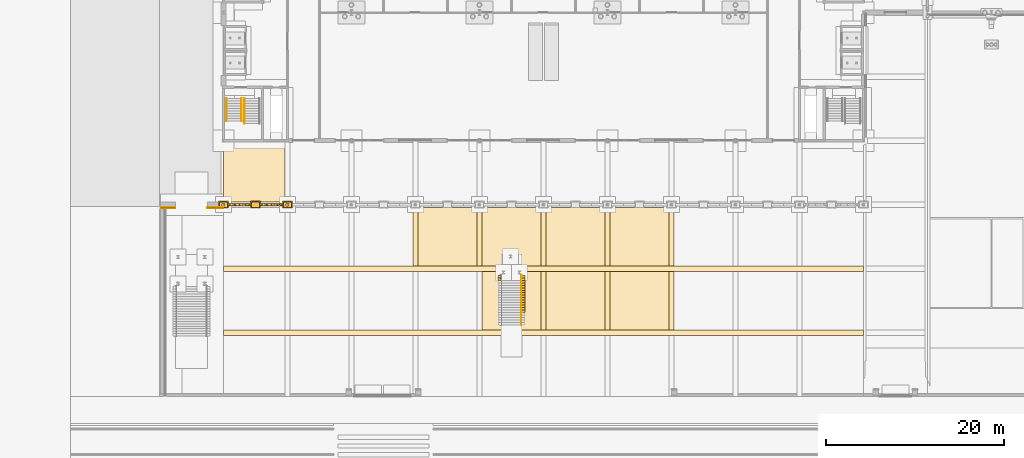
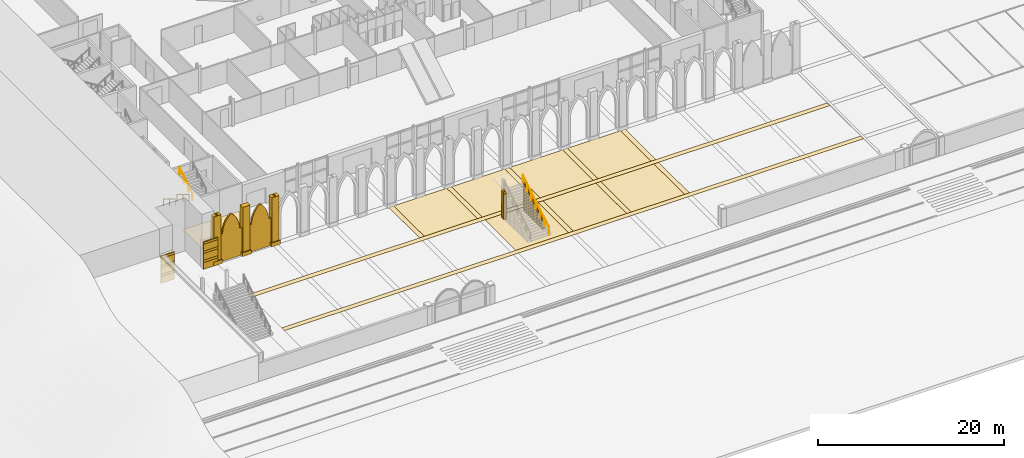
# One storey, part 117 of 148: 55 coverings, 4 railings.
"""IFC4 building model written with IfcOpenShell, lengths in metres."""

from ifc_helpers import new_model, si_unit, direction, frame, origin, origin_2d, place, context, subcontext, project, spatial, polyline, circle, outline, extrude, material, layer, layer_set, type_object, element, save


model = new_model("IFC4")

# Units and contexts
model_context = context("Model", 3, precision=1e-05, world=origin(), true_north=direction((0.0, 1.0)))
body_context = subcontext(model_context, "Body", "Model", "MODEL_VIEW")
ifc_project = project(units=[si_unit("LENGTHUNIT", "METRE"), si_unit("AREAUNIT", "SQUARE_METRE"), si_unit("VOLUMEUNIT", "CUBIC_METRE"), si_unit("PLANEANGLEUNIT", "RADIAN"), si_unit("MASSUNIT", "GRAM", prefix="KILO")], contexts=[model_context])

# Site, building, storey
site_placement = place(None, origin())
site = spatial("IfcSite", under=ifc_project, at=site_placement, CompositionType="ELEMENT")
building_placement = place(site_placement, origin())
building = spatial("IfcBuilding", under=site, at=building_placement, Name="Kupolbacken Congress Centre", CompositionType="ELEMENT")
storey_placement = place(building_placement, origin())
storey = spatial("IfcBuildingStorey", under=building, at=storey_placement, Name="L00", CompositionType="ELEMENT", Elevation=0.0)

# Coverings
ifc_material_1 = material(Name="Limestone cladding", Category="masonry")
ifc_layer_1 = layer(ifc_material_1, 0.1201171875)
ifc_layer_set_1 = layer_set([ifc_layer_1], Name="Limestone cladding")
covering_type_1 = type_object("IfcCoveringType", Name="CV1 limestone cladding band 120", PredefinedType="CLADDING", material=ifc_layer_set_1)
covering_1_placement = place(storey_placement, frame((0.0, 0.0, 0.89990234375)))
element("IfcCovering", 1, at=covering_1_placement, inside=storey, type_object=covering_type_1, Name="Retaining wall facing, limestone course", PredefinedType="CLADDING", context=body_context, shape_type="SweptSolid", body=[
    extrude(outline(polyline([(0.1298828125, 21.205078125), (0.1298828125, 21.324951171875), (1.800048828125, 21.324951171875), (1.800048828125, 21.205078125), (0.1298828125, 21.205078125)])), origin(), (0.0, 0.0, 1.0), 0.300048828125),
])
covering_2_placement = place(storey_placement, frame((0.0, 0.0, 2.10009765625)))
element("IfcCovering", 2, at=covering_2_placement, inside=storey, type_object=covering_type_1, Name="Retaining wall facing, limestone course", PredefinedType="CLADDING", context=body_context, shape_type="SweptSolid", body=[
    extrude(outline(polyline([(0.1298828125, 21.205078125), (0.1298828125, 21.324951171875), (1.800048828125, 21.324951171875), (1.800048828125, 21.205078125), (0.1298828125, 21.205078125)])), origin(), (0.0, 0.0, 1.0), 0.2998046875),
])
covering_3_placement = place(storey_placement, frame((0.0, 0.0, 3.300048828125)))
element("IfcCovering", 3, at=covering_3_placement, inside=storey, type_object=covering_type_1, Name="Retaining wall facing, limestone course", PredefinedType="CLADDING", context=body_context, shape_type="SweptSolid", body=[
    extrude(outline(polyline([(0.1298828125, 21.205078125), (0.1298828125, 21.324951171875), (1.800048828125, 21.324951171875), (1.800048828125, 21.205078125), (0.1298828125, 21.205078125)])), origin(), (0.0, 0.0, 1.0), 0.300048828125),
])
covering_4_placement = place(storey_placement, frame((0.0, 0.0, 0.89990234375)))
element("IfcCovering", 4, at=covering_4_placement, inside=storey, type_object=covering_type_1, Name="Retaining wall facing, limestone course", PredefinedType="CLADDING", context=body_context, shape_type="SweptSolid", body=[
    extrude(outline(polyline([(5.39990234375, 21.205078125), (5.39990234375, 21.324951171875), (7.199951171875, 21.324951171875), (7.199951171875, 21.205078125), (5.39990234375, 21.205078125)])), origin(), (0.0, 0.0, 1.0), 0.300048828125),
])
covering_5_placement = place(storey_placement, frame((0.0, 0.0, 2.10009765625)))
element("IfcCovering", 5, at=covering_5_placement, inside=storey, type_object=covering_type_1, Name="Retaining wall facing, limestone course", PredefinedType="CLADDING", context=body_context, shape_type="SweptSolid", body=[
    extrude(outline(polyline([(5.39990234375, 21.205078125), (5.39990234375, 21.324951171875), (7.199951171875, 21.324951171875), (7.199951171875, 21.205078125), (5.39990234375, 21.205078125)])), origin(), (0.0, 0.0, 1.0), 0.2998046875),
])
covering_6_placement = place(storey_placement, frame((0.0, 0.0, 3.300048828125)))
element("IfcCovering", 6, at=covering_6_placement, inside=storey, type_object=covering_type_1, Name="Retaining wall facing, limestone course", PredefinedType="CLADDING", context=body_context, shape_type="SweptSolid", body=[
    extrude(outline(polyline([(5.39990234375, 21.205078125), (5.39990234375, 21.324951171875), (7.199951171875, 21.324951171875), (7.199951171875, 21.205078125), (5.39990234375, 21.205078125)])), origin(), (0.0, 0.0, 1.0), 0.300048828125),
])
covering_7_placement = place(storey_placement, frame((0.0, 0.0, 0.02001953125)))
element("IfcCovering", 7, at=covering_7_placement, inside=storey, type_object=covering_type_1, Name="Stair cheek wall", PredefinedType="CLADDING", context=body_context, shape_type="SweptSolid", body=[
    extrude(outline(polyline([(40.800048828125, 9.449951171875), (40.800048828125, 9.72998046875), (41.10009765625, 9.72998046875), (41.10009765625, 9.449951171875), (40.800048828125, 9.449951171875)])), origin(), (0.0, 0.0, 1.0), 1.158447265625),
])
covering_8_placement = place(storey_placement, frame((0.0, 0.0, 0.02001953125)))
element("IfcCovering", 8, at=covering_8_placement, inside=storey, type_object=covering_type_1, Name="Stair cheek wall", PredefinedType="CLADDING", context=body_context, shape_type="SweptSolid", body=[
    extrude(outline(polyline([(40.800048828125, 9.72998046875), (40.800048828125, 10.010009765625), (41.10009765625, 10.010009765625), (41.10009765625, 9.72998046875), (40.800048828125, 9.72998046875)])), origin(), (0.0, 0.0, 1.0), 1.329833984375),
])
covering_9_placement = place(storey_placement, frame((0.0, 0.0, 0.02001953125)))
element("IfcCovering", 9, at=covering_9_placement, inside=storey, type_object=covering_type_1, Name="Stair cheek wall", PredefinedType="CLADDING", context=body_context, shape_type="SweptSolid", body=[
    extrude(outline(polyline([(40.800048828125, 10.010009765625), (40.800048828125, 10.2900390625), (41.10009765625, 10.2900390625), (41.10009765625, 10.010009765625), (40.800048828125, 10.010009765625)])), origin(), (0.0, 0.0, 1.0), 1.501220703125),
])
covering_10_placement = place(storey_placement, frame((0.0, 0.0, 0.02001953125)))
element("IfcCovering", 10, at=covering_10_placement, inside=storey, type_object=covering_type_1, Name="Stair cheek wall", PredefinedType="CLADDING", context=body_context, shape_type="SweptSolid", body=[
    extrude(outline(polyline([(40.800048828125, 10.2900390625), (40.800048828125, 10.570068359375), (41.10009765625, 10.570068359375), (41.10009765625, 10.2900390625), (40.800048828125, 10.2900390625)])), origin(), (0.0, 0.0, 1.0), 1.672607421875),
])
covering_11_placement = place(storey_placement, frame((0.0, 0.0, 0.02001953125)))
element("IfcCovering", 11, at=covering_11_placement, inside=storey, type_object=covering_type_1, Name="Stair cheek wall", PredefinedType="CLADDING", context=body_context, shape_type="SweptSolid", body=[
    extrude(outline(polyline([(40.800048828125, 10.570068359375), (40.800048828125, 10.85009765625), (41.10009765625, 10.85009765625), (41.10009765625, 10.570068359375), (40.800048828125, 10.570068359375)])), origin(), (0.0, 0.0, 1.0), 1.843994140625),
])
covering_12_placement = place(storey_placement, frame((0.0, 0.0, 0.02001953125)))
element("IfcCovering", 12, at=covering_12_placement, inside=storey, type_object=covering_type_1, Name="Stair cheek wall", PredefinedType="CLADDING", context=body_context, shape_type="SweptSolid", body=[
    extrude(outline(polyline([(40.800048828125, 10.85009765625), (40.800048828125, 11.1298828125), (41.10009765625, 11.1298828125), (41.10009765625, 10.85009765625), (40.800048828125, 10.85009765625)])), origin(), (0.0, 0.0, 1.0), 2.015380859375),
])
covering_13_placement = place(storey_placement, frame((0.0, 0.0, 0.02001953125)))
element("IfcCovering", 13, at=covering_13_placement, inside=storey, type_object=covering_type_1, Name="Stair cheek wall", PredefinedType="CLADDING", context=body_context, shape_type="SweptSolid", body=[
    extrude(outline(polyline([(40.800048828125, 11.1298828125), (40.800048828125, 11.409912109375), (41.10009765625, 11.409912109375), (41.10009765625, 11.1298828125), (40.800048828125, 11.1298828125)])), origin(), (0.0, 0.0, 1.0), 2.186767578125),
])
covering_14_placement = place(storey_placement, frame((0.0, 0.0, 0.02001953125)))
element("IfcCovering", 14, at=covering_14_placement, inside=storey, type_object=covering_type_1, Name="Stair cheek wall", PredefinedType="CLADDING", context=body_context, shape_type="SweptSolid", body=[
    extrude(outline(polyline([(40.800048828125, 11.409912109375), (40.800048828125, 11.68994140625), (41.10009765625, 11.68994140625), (41.10009765625, 11.409912109375), (40.800048828125, 11.409912109375)])), origin(), (0.0, 0.0, 1.0), 2.358154296875),
])
covering_15_placement = place(storey_placement, frame((0.0, 0.0, 0.02001953125)))
element("IfcCovering", 15, at=covering_15_placement, inside=storey, type_object=covering_type_1, Name="Stair cheek wall", PredefinedType="CLADDING", context=body_context, shape_type="SweptSolid", body=[
    extrude(outline(polyline([(40.800048828125, 11.68994140625), (40.800048828125, 11.969970703125), (41.10009765625, 11.969970703125), (41.10009765625, 11.68994140625), (40.800048828125, 11.68994140625)])), origin(), (0.0, 0.0, 1.0), 2.529541015625),
])
covering_16_placement = place(storey_placement, frame((0.0, 0.0, 0.02001953125)))
element("IfcCovering", 16, at=covering_16_placement, inside=storey, type_object=covering_type_1, Name="Stair cheek wall", PredefinedType="CLADDING", context=body_context, shape_type="SweptSolid", body=[
    extrude(outline(polyline([(40.800048828125, 11.969970703125), (40.800048828125, 12.25), (41.10009765625, 12.25), (41.10009765625, 11.969970703125), (40.800048828125, 11.969970703125)])), origin(), (0.0, 0.0, 1.0), 2.700927734375),
])
covering_17_placement = place(storey_placement, frame((0.0, 0.0, 0.02001953125)))
element("IfcCovering", 17, at=covering_17_placement, inside=storey, type_object=covering_type_1, Name="Stair cheek wall", PredefinedType="CLADDING", context=body_context, shape_type="SweptSolid", body=[
    extrude(outline(polyline([(40.800048828125, 12.25), (40.800048828125, 12.530029296875), (41.10009765625, 12.530029296875), (41.10009765625, 12.25), (40.800048828125, 12.25)])), origin(), (0.0, 0.0, 1.0), 2.872314453125),
])
covering_18_placement = place(storey_placement, frame((0.0, 0.0, 0.02001953125)))
element("IfcCovering", 18, at=covering_18_placement, inside=storey, type_object=covering_type_1, Name="Stair cheek wall", PredefinedType="CLADDING", context=body_context, shape_type="SweptSolid", body=[
    extrude(outline(polyline([(40.800048828125, 12.530029296875), (40.800048828125, 12.81005859375), (41.10009765625, 12.81005859375), (41.10009765625, 12.530029296875), (40.800048828125, 12.530029296875)])), origin(), (0.0, 0.0, 1.0), 3.043701171875),
])
covering_19_placement = place(storey_placement, frame((0.0, 0.0, 0.02001953125)))
element("IfcCovering", 19, at=covering_19_placement, inside=storey, type_object=covering_type_1, Name="Stair cheek wall", PredefinedType="CLADDING", context=body_context, shape_type="SweptSolid", body=[
    extrude(outline(polyline([(40.800048828125, 12.81005859375), (40.800048828125, 13.090087890625), (41.10009765625, 13.090087890625), (41.10009765625, 12.81005859375), (40.800048828125, 12.81005859375)])), origin(), (0.0, 0.0, 1.0), 3.215087890625),
])
covering_20_placement = place(storey_placement, frame((0.0, 0.0, 0.02001953125)))
element("IfcCovering", 20, at=covering_20_placement, inside=storey, type_object=covering_type_1, Name="Stair cheek wall", PredefinedType="CLADDING", context=body_context, shape_type="SweptSolid", body=[
    extrude(outline(polyline([(40.800048828125, 13.090087890625), (40.800048828125, 13.3701171875), (41.10009765625, 13.3701171875), (41.10009765625, 13.090087890625), (40.800048828125, 13.090087890625)])), origin(), (0.0, 0.0, 1.0), 3.386474609375),
])
covering_21_placement = place(storey_placement, frame((0.0, 0.0, 0.02001953125)))
element("IfcCovering", 21, at=covering_21_placement, inside=storey, type_object=covering_type_1, Name="Stair cheek wall", PredefinedType="CLADDING", context=body_context, shape_type="SweptSolid", body=[
    extrude(outline(polyline([(40.800048828125, 13.3701171875), (40.800048828125, 13.64990234375), (41.10009765625, 13.64990234375), (41.10009765625, 13.3701171875), (40.800048828125, 13.3701171875)])), origin(), (0.0, 0.0, 1.0), 3.557861328125),
])
covering_22_placement = place(storey_placement, frame((0.0, 0.0, 0.02001953125)))
element("IfcCovering", 22, at=covering_22_placement, inside=storey, type_object=covering_type_1, Name="Stair cheek wall", PredefinedType="CLADDING", context=body_context, shape_type="SweptSolid", body=[
    extrude(outline(polyline([(38.39990234375, 13.090087890625), (38.39990234375, 13.3701171875), (38.10009765625, 13.3701171875), (38.10009765625, 13.090087890625), (38.39990234375, 13.090087890625)])), origin(), (0.0, 0.0, 1.0), 3.386474609375),
])
covering_23_placement = place(storey_placement, frame((0.0, 0.0, 0.02001953125)))
element("IfcCovering", 23, at=covering_23_placement, inside=storey, type_object=covering_type_1, Name="Stair cheek wall", PredefinedType="CLADDING", context=body_context, shape_type="SweptSolid", body=[
    extrude(outline(polyline([(38.39990234375, 13.3701171875), (38.39990234375, 13.64990234375), (38.10009765625, 13.64990234375), (38.10009765625, 13.3701171875), (38.39990234375, 13.3701171875)])), origin(), (0.0, 0.0, 1.0), 3.557861328125),
])
ifc_material_2 = material(Name="Brick cladding", Category="masonry")
ifc_layer_2 = layer(ifc_material_2, 0.10791015625)
ifc_layer_set_2 = layer_set([ifc_layer_2], Name="Brick cladding")
covering_type_2 = type_object("IfcCoveringType", Name="CV2 brick cladding band 108", PredefinedType="CLADDING", material=ifc_layer_set_2)
covering_24_placement = place(storey_placement, origin())
element("IfcCovering", 24, at=covering_24_placement, inside=storey, type_object=covering_type_2, Name="Retaining wall facing, brick course", PredefinedType="CLADDING", context=body_context, shape_type="SweptSolid", body=[
    extrude(outline(polyline([(0.1298828125, 21.217041015625), (0.1298828125, 21.324951171875), (1.800048828125, 21.324951171875), (1.800048828125, 21.217041015625), (0.1298828125, 21.217041015625)])), origin(), (0.0, 0.0, 1.0), 0.89990234375),
])
for number, where, name in (
    (25, (0.0, 0.0, 1.199951171875), "Retaining wall facing, brick course"),
    (26, (0.0, 0.0, 2.39990234375), "Retaining wall facing, brick course"),
):
    element("IfcCovering", number, at=place(storey_placement, frame(where)), inside=storey, type_object=covering_type_2, Name=name, PredefinedType="CLADDING", context=body_context, shape_type="SweptSolid", body=[
        extrude(outline(polyline([(0.1298828125, 21.217041015625), (0.1298828125, 21.324951171875), (1.800048828125, 21.324951171875), (1.800048828125, 21.217041015625), (0.1298828125, 21.217041015625)])), origin(), (0.0, 0.0, 1.0), 0.900146484375),
    ])
covering_25_placement = place(storey_placement, origin())
element("IfcCovering", 27, at=covering_25_placement, inside=storey, type_object=covering_type_2, Name="Retaining wall facing, brick course", PredefinedType="CLADDING", context=body_context, shape_type="SweptSolid", body=[
    extrude(outline(polyline([(5.39990234375, 21.217041015625), (5.39990234375, 21.324951171875), (7.199951171875, 21.324951171875), (7.199951171875, 21.217041015625), (5.39990234375, 21.217041015625)])), origin(), (0.0, 0.0, 1.0), 0.89990234375),
])
for number, where, name in (
    (28, (0.0, 0.0, 1.199951171875), "Retaining wall facing, brick course"),
    (29, (0.0, 0.0, 2.39990234375), "Retaining wall facing, brick course"),
):
    element("IfcCovering", number, at=place(storey_placement, frame(where)), inside=storey, type_object=covering_type_2, Name=name, PredefinedType="CLADDING", context=body_context, shape_type="SweptSolid", body=[
        extrude(outline(polyline([(5.39990234375, 21.217041015625), (5.39990234375, 21.324951171875), (7.199951171875, 21.324951171875), (7.199951171875, 21.217041015625), (5.39990234375, 21.217041015625)])), origin(), (0.0, 0.0, 1.0), 0.900146484375),
    ])
ifc_material_3 = material(Name="Limestone cladding", Category="masonry")
ifc_layer_3 = layer(ifc_material_3, 0.60009765625)
ifc_layer_set_3 = layer_set([ifc_layer_3], Name="Limestone cladding")
covering_type_3 = type_object("IfcCoveringType", Name="CV5 limestone arcade pier 600", PredefinedType="CLADDING", material=ifc_layer_set_3)
covering_26_placement = place(storey_placement, origin())
element("IfcCovering", 30, at=covering_26_placement, inside=storey, type_object=covering_type_3, Name="F/arc/pier/007.2/base", PredefinedType="CLADDING", context=body_context, shape_type="SweptSolid", body=[
    extrude(outline(polyline([(6.64990234375, 21.199951171875), (7.75, 21.199951171875), (7.75, 22.0), (6.64990234375, 22.0), (6.64990234375, 21.199951171875)]), holes=[polyline([(7.06005859375, 21.4599609375), (7.340087890625, 21.4599609375), (7.340087890625, 21.739990234375), (7.06005859375, 21.739990234375), (7.06005859375, 21.4599609375)])]), origin(), (0.0, 0.0, 1.0), 0.5),
])
covering_27_placement = place(storey_placement, frame((0.0, 0.0, 0.5)))
element("IfcCovering", 31, at=covering_27_placement, inside=storey, type_object=covering_type_3, Name="F/arc/pier/007.2/shaft", PredefinedType="CLADDING", context=body_context, shape_type="SweptSolid", body=[
    extrude(outline(polyline([(6.75, 21.300048828125), (7.64990234375, 21.300048828125), (7.64990234375, 21.89990234375), (6.75, 21.89990234375), (6.75, 21.300048828125)]), holes=[polyline([(7.06005859375, 21.4599609375), (7.340087890625, 21.4599609375), (7.340087890625, 21.739990234375), (7.06005859375, 21.739990234375), (7.06005859375, 21.4599609375)])]), origin(), (0.0, 0.0, 1.0), 5.8701171875),
])
covering_28_placement = place(storey_placement, origin())
element("IfcCovering", 32, at=covering_28_placement, inside=storey, type_object=covering_type_3, Name="F/arc/pier/010.8/base", PredefinedType="CLADDING", context=body_context, shape_type="SweptSolid", body=[
    extrude(outline(polyline([(10.25, 21.199951171875), (11.35009765625, 21.199951171875), (11.35009765625, 22.0), (10.25, 22.0), (10.25, 21.199951171875)])), origin(), (0.0, 0.0, 1.0), 0.5),
])
covering_29_placement = place(storey_placement, frame((0.0, 0.0, 0.5)))
element("IfcCovering", 33, at=covering_29_placement, inside=storey, type_object=covering_type_3, Name="F/arc/pier/010.8/shaft", PredefinedType="CLADDING", context=body_context, shape_type="SweptSolid", body=[
    extrude(outline(polyline([(10.35009765625, 21.300048828125), (11.25, 21.300048828125), (11.25, 21.89990234375), (10.35009765625, 21.89990234375), (10.35009765625, 21.300048828125)])), origin(), (0.0, 0.0, 1.0), 5.8701171875),
])
covering_30_placement = place(storey_placement, origin())
element("IfcCovering", 34, at=covering_30_placement, inside=storey, type_object=covering_type_3, Name="F/arc/pier/014.4/base", PredefinedType="CLADDING", context=body_context, shape_type="SweptSolid", body=[
    extrude(outline(polyline([(13.85009765625, 21.199951171875), (14.949951171875, 21.199951171875), (14.949951171875, 22.0), (13.85009765625, 22.0), (13.85009765625, 21.199951171875)]), holes=[polyline([(14.260009765625, 21.4599609375), (14.5400390625, 21.4599609375), (14.5400390625, 21.739990234375), (14.260009765625, 21.739990234375), (14.260009765625, 21.4599609375)])]), origin(), (0.0, 0.0, 1.0), 0.5),
])
covering_31_placement = place(storey_placement, frame((0.0, 0.0, 0.5)))
element("IfcCovering", 35, at=covering_31_placement, inside=storey, type_object=covering_type_3, Name="F/arc/pier/014.4/shaft", PredefinedType="CLADDING", context=body_context, shape_type="SweptSolid", body=[
    extrude(outline(polyline([(13.949951171875, 21.300048828125), (14.85009765625, 21.300048828125), (14.85009765625, 21.89990234375), (13.949951171875, 21.89990234375), (13.949951171875, 21.300048828125)]), holes=[polyline([(14.260009765625, 21.4599609375), (14.5400390625, 21.4599609375), (14.5400390625, 21.739990234375), (14.260009765625, 21.739990234375), (14.260009765625, 21.4599609375)])]), origin(), (0.0, 0.0, 1.0), 5.8701171875),
])
ifc_material_4 = material(Name="Limestone cladding", Category="masonry")
ifc_layer_4 = layer(ifc_material_4, 0.300048828125)
ifc_layer_set_4 = layer_set([ifc_layer_4], Name="Limestone cladding")
covering_type_4 = type_object("IfcCoveringType", Name="CV7 limestone arcade spandrel 300", PredefinedType="CLADDING", material=ifc_layer_set_4)
for number, where, z_axis, x_axis, name in (
    (36, (7.64990234375, 21.5, 3.6201171875), (0.0, 1.0, 0.0), (-1.0, 0.0, 0.0), "F/arc/infill/007.2"),
    (37, (11.25, 21.5, 3.6201171875), (0.0, 1.0, 0.0), (-1.0, 0.0, 0.0), "F/arc/infill/010.8"),
):
    element("IfcCovering", number, at=place(storey_placement, frame(where, z_axis=z_axis, x_axis=x_axis)), inside=storey, type_object=covering_type_4, Name=name, PredefinedType="CLADDING", context=body_context, shape_type="SweptSolid", body=[
        extrude(outline(polyline([(-0.10009765625, -3.6201171875), (-2.60009765625, -3.6201171875), (-2.60009765625, -3.1201171875), (-2.699951171875, -3.1201171875), (-2.699951171875, 0.0), (-2.39990234375, 0.0), (-2.394287109375, 0.18701171875), (-2.377197265625, 0.373291015625), (-2.348876953125, 0.55810546875), (-2.309326171875, 0.7412109375), (-2.2587890625, 0.921142578125), (-2.197265625, 1.097900390625), (-2.125244140625, 1.2705078125), (-2.042724609375, 1.4384765625), (-1.9501953125, 1.60107421875), (-1.847900390625, 1.7578125), (-1.736572265625, 1.907958984375), (-1.615966796875, 2.051025390625), (-1.487060546875, 2.186767578125), (-1.35009765625, 2.314208984375), (-1.212890625, 2.186767578125), (-1.083984375, 2.051025390625), (-0.96337890625, 1.907958984375), (-0.85205078125, 1.7578125), (-0.749755859375, 1.60107421875), (-0.6572265625, 1.4384765625), (-0.57470703125, 1.2705078125), (-0.502685546875, 1.097900390625), (-0.441162109375, 0.921142578125), (-0.390625, 0.7412109375), (-0.35107421875, 0.55810546875), (-0.32275390625, 0.373291015625), (-0.3056640625, 0.18701171875), (-0.300048828125, 0.0), (0.0, 0.0), (0.0, -3.1201171875), (-0.10009765625, -3.1201171875), (-0.10009765625, -3.6201171875)])), origin(), (0.0, 0.0, 1.0), 0.199951171875),
    ])
ifc_material_5 = material(Name="Limestone cladding", Category="masonry")
ifc_layer_5 = layer(ifc_material_5, 0.02001953125)
ifc_layer_set_5 = layer_set([ifc_layer_5], Name="Limestone cladding")
covering_type_5 = type_object("IfcCoveringType", Name="GF1 limestone paving 20", PredefinedType="FLOORING", material=ifc_layer_set_5)
covering_32_placement = place(storey_placement, origin())
element("IfcCovering", 38, at=covering_32_placement, inside=storey, type_object=covering_type_5, Name="Court paving band", PredefinedType="FLOORING", context=body_context, shape_type="SweptSolid", body=[
    extrude(outline(polyline([(79.197509765625, 6.89990234375), (7.202392578125, 6.89990234375), (7.202392578125, 7.5), (79.197509765625, 7.5), (79.197509765625, 6.89990234375)])), origin(), (0.0, 0.0, 1.0), 0.02001953125),
])
covering_33_placement = place(storey_placement, origin())
element("IfcCovering", 39, at=covering_33_placement, inside=storey, type_object=covering_type_5, Name="Court paving band", PredefinedType="FLOORING", context=body_context, shape_type="SweptSolid", body=[
    extrude(outline(polyline([(79.197509765625, 14.10009765625), (7.202392578125, 14.10009765625), (7.202392578125, 14.699951171875), (79.197509765625, 14.699951171875), (79.197509765625, 14.10009765625)])), origin(), (0.0, 0.0, 1.0), 0.02001953125),
])
covering_34_placement = place(storey_placement, origin())
element("IfcCovering", 40, at=covering_34_placement, inside=storey, type_object=covering_type_5, Name="Court paving band", PredefinedType="FLOORING", context=body_context, shape_type="SweptSolid", body=[
    extrude(outline(polyline([(28.5, 14.699951171875), (28.5, 21.300048828125), (29.10009765625, 21.300048828125), (29.10009765625, 14.699951171875), (28.5, 14.699951171875)])), origin(), (0.0, 0.0, 1.0), 0.02001953125),
])
covering_35_placement = place(storey_placement, origin())
element("IfcCovering", 41, at=covering_35_placement, inside=storey, type_object=covering_type_5, Name="Court paving band", PredefinedType="FLOORING", context=body_context, shape_type="SweptSolid", body=[
    extrude(outline(polyline([(35.699951171875, 14.699951171875), (35.699951171875, 21.300048828125), (36.300048828125, 21.300048828125), (36.300048828125, 14.699951171875), (35.699951171875, 14.699951171875)])), origin(), (0.0, 0.0, 1.0), 0.02001953125),
])
covering_36_placement = place(storey_placement, origin())
element("IfcCovering", 42, at=covering_36_placement, inside=storey, type_object=covering_type_5, Name="Court paving band", PredefinedType="FLOORING", context=body_context, shape_type="SweptSolid", body=[
    extrude(outline(polyline([(42.89990234375, 7.5), (42.89990234375, 14.10009765625), (43.5, 14.10009765625), (43.5, 7.5), (42.89990234375, 7.5)])), origin(), (0.0, 0.0, 1.0), 0.02001953125),
])
covering_37_placement = place(storey_placement, origin())
element("IfcCovering", 43, at=covering_37_placement, inside=storey, type_object=covering_type_5, Name="Court paving band", PredefinedType="FLOORING", context=body_context, shape_type="SweptSolid", body=[
    extrude(outline(polyline([(42.89990234375, 14.699951171875), (42.89990234375, 21.300048828125), (43.5, 21.300048828125), (43.5, 14.699951171875), (42.89990234375, 14.699951171875)])), origin(), (0.0, 0.0, 1.0), 0.02001953125),
])
covering_38_placement = place(storey_placement, origin())
element("IfcCovering", 44, at=covering_38_placement, inside=storey, type_object=covering_type_5, Name="Court paving band", PredefinedType="FLOORING", context=body_context, shape_type="SweptSolid", body=[
    extrude(outline(polyline([(50.10009765625, 7.5), (50.10009765625, 14.10009765625), (50.699951171875, 14.10009765625), (50.699951171875, 7.5), (50.10009765625, 7.5)])), origin(), (0.0, 0.0, 1.0), 0.02001953125),
])
covering_39_placement = place(storey_placement, origin())
element("IfcCovering", 45, at=covering_39_placement, inside=storey, type_object=covering_type_5, Name="Court paving band", PredefinedType="FLOORING", context=body_context, shape_type="SweptSolid", body=[
    extrude(outline(polyline([(50.10009765625, 14.699951171875), (50.10009765625, 21.300048828125), (50.699951171875, 21.300048828125), (50.699951171875, 14.699951171875), (50.10009765625, 14.699951171875)])), origin(), (0.0, 0.0, 1.0), 0.02001953125),
])
covering_40_placement = place(storey_placement, origin())
element("IfcCovering", 46, at=covering_40_placement, inside=storey, type_object=covering_type_5, Name="Court paving band", PredefinedType="FLOORING", context=body_context, shape_type="SweptSolid", body=[
    extrude(outline(polyline([(57.300048828125, 7.5), (57.300048828125, 14.10009765625), (57.89990234375, 14.10009765625), (57.89990234375, 7.5), (57.300048828125, 7.5)])), origin(), (0.0, 0.0, 1.0), 0.02001953125),
])
covering_41_placement = place(storey_placement, origin())
element("IfcCovering", 47, at=covering_41_placement, inside=storey, type_object=covering_type_5, Name="Court paving band", PredefinedType="FLOORING", context=body_context, shape_type="SweptSolid", body=[
    extrude(outline(polyline([(57.300048828125, 14.699951171875), (57.300048828125, 21.300048828125), (57.89990234375, 21.300048828125), (57.89990234375, 14.699951171875), (57.300048828125, 14.699951171875)])), origin(), (0.0, 0.0, 1.0), 0.02001953125),
])
ifc_material_6 = material(Name="Brick", Category="masonry")
ifc_layer_6 = layer(ifc_material_6, 0.02001953125)
ifc_layer_set_6 = layer_set([ifc_layer_6], Name="Brick")
covering_type_6 = type_object("IfcCoveringType", Name="GF2 brick paving 20", PredefinedType="FLOORING", material=ifc_layer_set_6)
covering_42_placement = place(storey_placement, origin())
element("IfcCovering", 48, at=covering_42_placement, inside=storey, type_object=covering_type_6, Name="Court brick paving", PredefinedType="FLOORING", context=body_context, shape_type="SweptSolid", body=[
    extrude(outline(polyline([(7.202392578125, 28.797607421875), (14.10009765625, 28.797607421875), (14.10009765625, 21.89990234375), (7.202392578125, 21.89990234375), (7.202392578125, 28.797607421875)])), origin(), (0.0, 0.0, 1.0), 0.02001953125),
])
covering_43_placement = place(storey_placement, origin())
element("IfcCovering", 49, at=covering_43_placement, inside=storey, type_object=covering_type_6, Name="Court brick paving", PredefinedType="FLOORING", context=body_context, shape_type="SweptSolid", body=[
    extrude(outline(polyline([(29.10009765625, 21.300048828125), (35.699951171875, 21.300048828125), (35.699951171875, 14.699951171875), (29.10009765625, 14.699951171875), (29.10009765625, 21.300048828125)])), origin(), (0.0, 0.0, 1.0), 0.02001953125),
])
covering_44_placement = place(storey_placement, origin())
element("IfcCovering", 50, at=covering_44_placement, inside=storey, type_object=covering_type_6, Name="Court brick paving", PredefinedType="FLOORING", context=body_context, shape_type="SweptSolid", body=[
    extrude(outline(polyline([(36.300048828125, 21.300048828125), (42.89990234375, 21.300048828125), (42.89990234375, 14.699951171875), (36.300048828125, 14.699951171875), (36.300048828125, 21.300048828125)])), origin(), (0.0, 0.0, 1.0), 0.02001953125),
])
covering_45_placement = place(storey_placement, origin())
element("IfcCovering", 51, at=covering_45_placement, inside=storey, type_object=covering_type_6, Name="Court brick paving", PredefinedType="FLOORING", context=body_context, shape_type="SweptSolid", body=[
    extrude(outline(polyline([(43.5, 21.300048828125), (50.10009765625, 21.300048828125), (50.10009765625, 14.699951171875), (43.5, 14.699951171875), (43.5, 21.300048828125)])), origin(), (0.0, 0.0, 1.0), 0.02001953125),
])
covering_46_placement = place(storey_placement, origin())
element("IfcCovering", 52, at=covering_46_placement, inside=storey, type_object=covering_type_6, Name="Court brick paving", PredefinedType="FLOORING", context=body_context, shape_type="SweptSolid", body=[
    extrude(outline(polyline([(50.699951171875, 14.699951171875), (50.699951171875, 21.300048828125), (57.300048828125, 21.300048828125), (57.300048828125, 14.699951171875), (50.699951171875, 14.699951171875)])), origin(), (0.0, 0.0, 1.0), 0.02001953125),
])
covering_47_placement = place(storey_placement, origin())
element("IfcCovering", 53, at=covering_47_placement, inside=storey, type_object=covering_type_6, Name="Court brick paving", PredefinedType="FLOORING", context=body_context, shape_type="SweptSolid", body=[
    extrude(outline(polyline([(57.300048828125, 14.10009765625), (57.300048828125, 7.5), (50.699951171875, 7.5), (50.699951171875, 14.10009765625), (57.300048828125, 14.10009765625)])), origin(), (0.0, 0.0, 1.0), 0.02001953125),
])
covering_48_placement = place(storey_placement, origin())
element("IfcCovering", 54, at=covering_48_placement, inside=storey, type_object=covering_type_6, Name="Court brick paving", PredefinedType="FLOORING", context=body_context, shape_type="SweptSolid", body=[
    extrude(outline(polyline([(50.10009765625, 14.10009765625), (50.10009765625, 7.5), (43.5, 7.5), (43.5, 14.10009765625), (50.10009765625, 14.10009765625)])), origin(), (0.0, 0.0, 1.0), 0.02001953125),
])
covering_49_placement = place(storey_placement, origin())
element("IfcCovering", 55, at=covering_49_placement, inside=storey, type_object=covering_type_6, Name="Court brick paving", PredefinedType="FLOORING", context=body_context, shape_type="SweptSolid", body=[
    extrude(outline(polyline([(42.89990234375, 7.5), (36.300048828125, 7.5), (36.300048828125, 14.10009765625), (42.89990234375, 14.10009765625), (42.89990234375, 7.5)])), origin(), (0.0, 0.0, 1.0), 0.02001953125),
])

# Railings
ifc_material_7 = material(Name="Steel S235", Category="steel")
railing_type_1 = type_object("IfcRailingType", Name="RL2 stair guard with handrail 900 / 1100", PredefinedType="GUARDRAIL", material=ifc_material_7)
railing_1_placement = place(storey_placement, frame((40.75, 8.050048828125, 0.17138671875)))
element("IfcRailing", 56, at=railing_1_placement, inside=storey, type_object=railing_type_1, Name="C/xguard/XS4/XS4-A/E", PredefinedType="GUARDRAIL", context=body_context, shape_type="SweptSolid", body=[
    extrude(circle(Radius=0.02392578125, at=origin_2d()), frame((0.0, 0.0, 1.076171875), z_axis=(0.0, 0.852885433425, 0.522098110944), x_axis=(-1.0, 0.0, 0.0)), (0.0, 0.0, 1.0), 6.565673828125),
    extrude(circle(Radius=0.02099609375, at=origin_2d()), origin(), (0.0, 0.0, 1.0), 1.052001953125),
    extrude(circle(Radius=0.02099609375, at=origin_2d()), frame((0.0, 0.933349609375, 0.5712890625)), (0.0, 0.0, 1.0), 1.052001953125),
    extrude(circle(Radius=0.02099609375, at=origin_2d()), frame((0.0, 1.86669921875, 1.142578125)), (0.0, 0.0, 1.0), 1.052001953125),
    extrude(circle(Radius=0.02099609375, at=origin_2d()), frame((0.0, 2.7998046875, 1.7138671875)), (0.0, 0.0, 1.0), 1.052001953125),
    extrude(circle(Radius=0.02099609375, at=origin_2d()), frame((0.0, 3.733154296875, 2.285400390625)), (0.0, 0.0, 1.0), 1.052001953125),
    extrude(circle(Radius=0.02099609375, at=origin_2d()), frame((0.0, 4.66650390625, 2.856689453125)), (0.0, 0.0, 1.0), 1.052001953125),
    extrude(circle(Radius=0.02099609375, at=origin_2d()), frame((0.0, 5.599853515625, 3.427978515625)), (0.0, 0.0, 1.0), 1.052001953125),
])
ifc_material_8 = material(Name="Steel S235", Category="steel")
railing_type_2 = type_object("IfcRailingType", Name="RL3 handrail wall-mounted 900", PredefinedType="HANDRAIL", material=ifc_material_8)
for number, where, name in (
    (57, (9.25, 33.544921875, 0.17138671875), "C/stair/FS1W/L00/HR1L"),
    (58, (7.550048828125, 33.544921875, 0.17138671875), "C/stair/FS1W/L00/HR1R"),
):
    element("IfcRailing", number, at=place(storey_placement, frame(where)), inside=storey, type_object=railing_type_2, Name=name, PredefinedType="HANDRAIL", context=body_context, shape_type="SweptSolid", body=[
        extrude(circle(Radius=0.02392578125, at=origin_2d()), frame((0.0, 0.0, 0.8759765625), z_axis=(0.0, -0.852836285881, 0.522178388565), x_axis=(1.0, 0.0, 0.0)), (0.0, 0.0, 1.0), 2.954833984375),
        extrude(circle(Radius=0.02099609375, at=origin_2d()), origin(), (0.0, 0.0, 1.0), 0.851806640625),
        extrude(circle(Radius=0.02099609375, at=origin_2d()), frame((0.0, -1.260009765625, 0.771484375)), (0.0, 0.0, 1.0), 0.851806640625),
        extrude(circle(Radius=0.02099609375, at=origin_2d()), frame((0.0, -2.52001953125, 1.54296875)), (0.0, 0.0, 1.0), 0.851806640625),
    ])
railing_2_placement = place(storey_placement, frame((9.550048828125, 30.7451171875, 1.8857421875)))
element("IfcRailing", 59, at=railing_2_placement, inside=storey, type_object=railing_type_2, Name="C/stair/FS1W/L00/HR2L", PredefinedType="HANDRAIL", context=body_context, shape_type="SweptSolid", body=[
    extrude(circle(Radius=0.02392578125, at=origin_2d()), frame((0.0, 0.0, 0.8759765625), z_axis=(0.0, 0.852825620865, 0.522195806567), x_axis=(-1.0, 0.0, 0.0)), (0.0, 0.0, 1.0), 3.282958984375),
    extrude(circle(Radius=0.02099609375, at=origin_2d()), origin(), (0.0, 0.0, 1.0), 0.851806640625),
    extrude(circle(Radius=0.02099609375, at=origin_2d()), frame((0.0, 0.933349609375, 0.571533203125)), (0.0, 0.0, 1.0), 0.851806640625),
    extrude(circle(Radius=0.02099609375, at=origin_2d()), frame((0.0, 1.866455078125, 1.142822265625)), (0.0, 0.0, 1.0), 0.851806640625),
    extrude(circle(Radius=0.02099609375, at=origin_2d()), frame((0.0, 2.7998046875, 1.71435546875)), (0.0, 0.0, 1.0), 0.851806640625),
])

save(model, "model.ifc")
